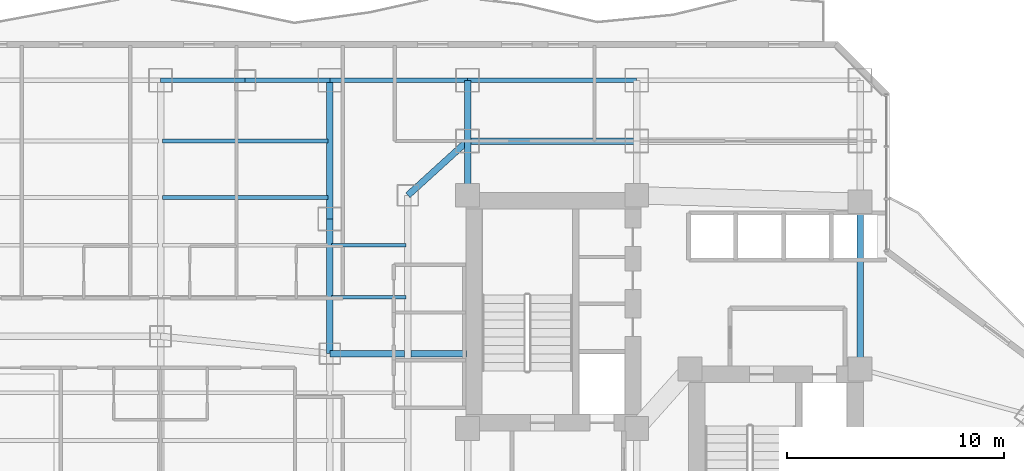
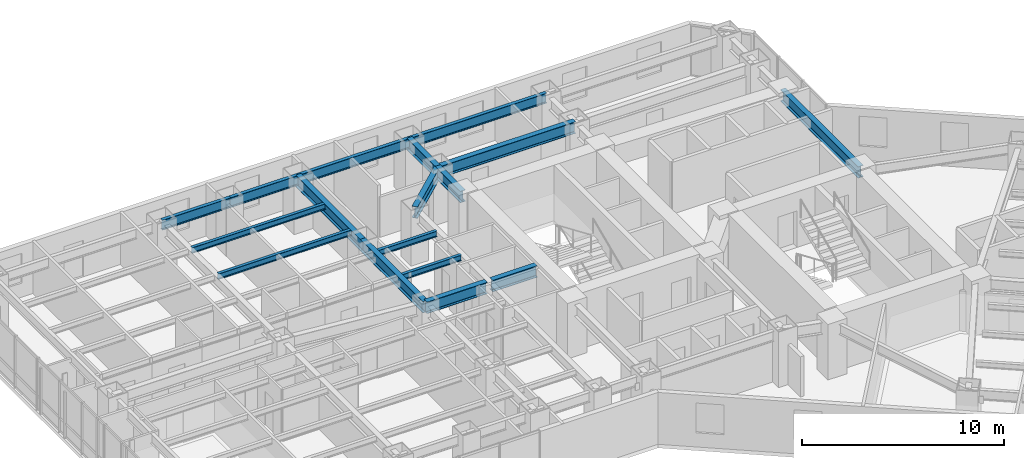
# One storey, part 17 of 38: 17 beams.
"""IFC4 building model written with IfcOpenShell, lengths in metres."""

from ifc_helpers import new_model, si_unit, direction, frame, origin, origin_2d, place, context, subcontext, project, spatial, i_section, extrude, material, material_profile, profile_set, type_object, element, save


model = new_model("IFC4")

# Units and contexts
model_context = context("Model", 3, precision=1e-05, world=origin(), true_north=direction((0.0, 1.0)))
body_context = subcontext(model_context, "Body", "Model", "MODEL_VIEW")
ifc_project = project(units=[si_unit("LENGTHUNIT", "METRE"), si_unit("AREAUNIT", "SQUARE_METRE"), si_unit("VOLUMEUNIT", "CUBIC_METRE"), si_unit("PLANEANGLEUNIT", "RADIAN"), si_unit("MASSUNIT", "GRAM", prefix="KILO")], contexts=[model_context])

# Site, building, storey
site_placement = place(None, origin())
site = spatial("IfcSite", under=ifc_project, at=site_placement, CompositionType="ELEMENT")
building_placement = place(site_placement, origin())
building = spatial("IfcBuilding", under=site, at=building_placement, Name="Hatsunagi Terrace Concourse", CompositionType="ELEMENT")
storey_placement = place(building_placement, frame((0.0, 0.0, 60.050048828125)))
storey = spatial("IfcBuildingStorey", under=building, at=storey_placement, Name="L15", CompositionType="ELEMENT", Elevation=60.050048828125)

# Beams
ifc_material_1 = material(Name="Steel SN490B", Category="steel")
ifc_material_profile_1 = material_profile(ifc_material_1, i_section(OverallWidth=0.300048828125, OverallDepth=0.699951171875, WebThickness=0.012939453125, FlangeThickness=0.02392578125, FilletRadius=0.02197265625, at=origin_2d()), Name="H-700x300x13x24")
ifc_profile_set_1 = profile_set([ifc_material_profile_1], Name="Steel SN490B")
beam_type_1 = type_object("IfcBeamType", Name="HotelFloorGirder_H_700x300", PredefinedType="BEAM", material=ifc_profile_set_1)
beam_1_placement = place(storey_placement, frame((43.64990234375, 35.300048828125, 2.780029296875), z_axis=(0.0, 1.0, 0.0), x_axis=(-1.0, 0.0, 0.0)))
element("IfcBeam", 1, at=beam_1_placement, inside=storey, type_object=beam_type_1, Name="Beam G-04 BM-L15-CBK3", PredefinedType="BEAM", context=body_context, shape_type="SweptSolid", body=[
    extrude(i_section(OverallWidth=0.300048828125, OverallDepth=0.699951171875, WebThickness=0.012939453125, FlangeThickness=0.02392578125, FilletRadius=0.02197265625, at=origin_2d()), origin(), (0.0, 0.0, 1.0), 7.699951171875),
])
beam_2_placement = place(storey_placement, frame((25.550048828125, 43.300048828125, 2.780029296875), z_axis=(0.0, 1.0, 0.0), x_axis=(-1.0, 0.0, 0.0)))
element("IfcBeam", 2, at=beam_2_placement, inside=storey, type_object=beam_type_1, Name="Beam G-04 BM-L15-CN1", PredefinedType="BEAM", context=body_context, shape_type="SweptSolid", body=[
    extrude(i_section(OverallWidth=0.300048828125, OverallDepth=0.699951171875, WebThickness=0.012939453125, FlangeThickness=0.02392578125, FilletRadius=0.02197265625, at=origin_2d()), origin(), (0.0, 0.0, 1.0), 2.5),
])
beam_3_placement = place(storey_placement, frame((25.550048828125, 45.800048828125, 2.780029296875), z_axis=(1.0, 0.0, 0.0), x_axis=(0.0, 1.0, 0.0)))
element("IfcBeam", 3, at=beam_3_placement, inside=storey, type_object=beam_type_1, Name="Beam G-04 BM-L15-CNEW1", PredefinedType="BEAM", context=body_context, shape_type="SweptSolid", body=[
    extrude(i_section(OverallWidth=0.300048828125, OverallDepth=0.699951171875, WebThickness=0.012939453125, FlangeThickness=0.02392578125, FilletRadius=0.02197265625, at=origin_2d()), origin(), (0.0, 0.0, 1.0), 7.800048828125),
])
beam_4_placement = place(storey_placement, frame((25.550048828125, 45.800048828125, 2.780029296875), z_axis=(0.0, 1.0, 0.0), x_axis=(-1.0, 0.0, 0.0)))
element("IfcBeam", 4, at=beam_4_placement, inside=storey, type_object=beam_type_1, Name="Beam G-04 BM-L15-KN-WN4", PredefinedType="BEAM", context=body_context, shape_type="SweptSolid", body=[
    extrude(i_section(OverallWidth=0.300048828125, OverallDepth=0.699951171875, WebThickness=0.012939453125, FlangeThickness=0.02392578125, FilletRadius=0.02197265625, at=origin_2d()), origin(), (0.0, 0.0, 1.0), 2.800048828125),
])
beam_5_placement = place(storey_placement, frame((22.800048828125, 43.300048828125, 2.780029296875), z_axis=(0.739940073396, 0.672672793996, 0.0), x_axis=(-0.672672793996, 0.739940073396, 0.0)))
element("IfcBeam", 5, at=beam_5_placement, inside=storey, type_object=beam_type_1, Name="Beam G-04 BM-L15-CWEW-N", PredefinedType="BEAM", context=body_context, shape_type="SweptSolid", body=[
    extrude(i_section(OverallWidth=0.300048828125, OverallDepth=0.699951171875, WebThickness=0.012939453125, FlangeThickness=0.02392578125, FilletRadius=0.02197265625, at=origin_2d()), origin(), (0.0, 0.0, 1.0), 3.716552734375),
])
beam_6_placement = place(storey_placement, frame((19.199951171875, 36.0, 2.780029296875), z_axis=(0.0, 1.0, 0.0), x_axis=(-1.0, 0.0, 0.0)))
element("IfcBeam", 6, at=beam_6_placement, inside=storey, type_object=beam_type_1, Name="Beam G-04 BM-L15-NS-19-36", PredefinedType="BEAM", context=body_context, shape_type="SweptSolid", body=[
    extrude(i_section(OverallWidth=0.300048828125, OverallDepth=0.699951171875, WebThickness=0.012939453125, FlangeThickness=0.02392578125, FilletRadius=0.02197265625, at=origin_2d()), origin(), (0.0, 0.0, 1.0), 6.199951171875),
])
beam_7_placement = place(storey_placement, frame((19.199951171875, 42.199951171875, 2.780029296875), z_axis=(0.0, 1.0, 0.0), x_axis=(-1.0, 0.0, 0.0)))
element("IfcBeam", 7, at=beam_7_placement, inside=storey, type_object=beam_type_1, Name="Beam G-04 BM-L15-NS-19-42", PredefinedType="BEAM", context=body_context, shape_type="SweptSolid", body=[
    extrude(i_section(OverallWidth=0.300048828125, OverallDepth=0.699951171875, WebThickness=0.012939453125, FlangeThickness=0.02392578125, FilletRadius=0.02197265625, at=origin_2d()), origin(), (0.0, 0.0, 1.0), 6.400146484375),
])
beam_8_placement = place(storey_placement, frame((19.199951171875, 36.0, 2.780029296875), z_axis=(1.0, 0.0, 0.0), x_axis=(0.0, 1.0, 0.0)))
element("IfcBeam", 8, at=beam_8_placement, inside=storey, type_object=beam_type_1, Name="Beam G-04 BM-L15-EW-3", PredefinedType="BEAM", context=body_context, shape_type="SweptSolid", body=[
    extrude(i_section(OverallWidth=0.300048828125, OverallDepth=0.699951171875, WebThickness=0.012939453125, FlangeThickness=0.02392578125, FilletRadius=0.02197265625, at=origin_2d()), origin(), (0.0, 0.0, 1.0), 3.449951171875),
])
beam_9_placement = place(storey_placement, frame((22.949951171875, 36.0, 2.780029296875), z_axis=(1.0, 0.0, 0.0), x_axis=(0.0, 1.0, 0.0)))
element("IfcBeam", 9, at=beam_9_placement, inside=storey, type_object=beam_type_1, Name="Beam G-04 BM-L15-EW-4", PredefinedType="BEAM", context=body_context, shape_type="SweptSolid", body=[
    extrude(i_section(OverallWidth=0.300048828125, OverallDepth=0.699951171875, WebThickness=0.012939453125, FlangeThickness=0.02392578125, FilletRadius=0.02197265625, at=origin_2d()), origin(), (0.0, 0.0, 1.0), 2.56005859375),
])
ifc_material_2 = material(Name="Steel SN490B", Category="steel")
ifc_material_profile_2 = material_profile(ifc_material_2, i_section(OverallWidth=0.175048828125, OverallDepth=0.35009765625, WebThickness=0.007080078125, FlangeThickness=0.010986328125, FilletRadius=0.012939453125, at=origin_2d()), Name="H-350x175x7x11")
ifc_profile_set_2 = profile_set([ifc_material_profile_2], Name="Steel SN490B")
beam_type_2 = type_object("IfcBeamType", Name="HotelJoist_H_350x175", PredefinedType="JOIST", material=ifc_profile_set_2)
for number, where, z_axis, x_axis, name in (
    (10, (19.284912109375, 38.60009765625, 2.954833984375), (1.0, 0.0, 0.0), (0.0, 1.0, 0.0), "Beam J-02 J-L15-W-19-386"),
    (11, (19.284912109375, 41.0, 2.954833984375), (1.0, 0.0, 0.0), (0.0, 1.0, 0.0), "Beam J-02 J-L15-W-19-410"),
):
    element("IfcBeam", number, at=place(storey_placement, frame(where, z_axis=z_axis, x_axis=x_axis)), inside=storey, type_object=beam_type_2, Name=name, PredefinedType="JOIST", context=body_context, shape_type="SweptSolid", body=[
        extrude(i_section(OverallWidth=0.175048828125, OverallDepth=0.35009765625, WebThickness=0.007080078125, FlangeThickness=0.010986328125, FilletRadius=0.012939453125, at=origin_2d()), origin(), (0.0, 0.0, 1.0), 3.43017578125),
    ])
for number, where, z_axis, x_axis, name in (
    (12, (11.485107421875, 43.199951171875, 2.954833984375), (1.0, 0.0, 0.0), (0.0, 1.0, 0.0), "Beam J-02 J-L15-W-11-432"),
    (13, (11.485107421875, 45.800048828125, 2.954833984375), (1.0, 0.0, 0.0), (0.0, 1.0, 0.0), "Beam J-02 J-L15-W-11-458"),
):
    element("IfcBeam", number, at=place(storey_placement, frame(where, z_axis=z_axis, x_axis=x_axis)), inside=storey, type_object=beam_type_2, Name=name, PredefinedType="JOIST", context=body_context, shape_type="SweptSolid", body=[
        extrude(i_section(OverallWidth=0.175048828125, OverallDepth=0.35009765625, WebThickness=0.007080078125, FlangeThickness=0.010986328125, FilletRadius=0.012939453125, at=origin_2d()), origin(), (0.0, 0.0, 1.0), 7.6298828125),
    ])
ifc_material_3 = material(Name="Steel SN490B", Category="steel")
ifc_material_profile_3 = material_profile(ifc_material_3, i_section(OverallWidth=0.199951171875, OverallDepth=0.60009765625, WebThickness=0.010986328125, FlangeThickness=0.01708984375, FilletRadius=0.01806640625, at=origin_2d()), Name="H-600x200x11x17")
ifc_profile_set_3 = profile_set([ifc_material_profile_3], Name="Steel SN490B")
beam_type_3 = type_object("IfcBeamType", Name="PerimeterSpandrel_H_600x200", PredefinedType="SPANDREL", material=ifc_profile_set_3)
beam_10_placement = place(storey_placement, frame((11.39990234375, 48.60009765625, 2.829833984375), z_axis=(1.0, 0.0, 0.0), x_axis=(0.0, 1.0, 0.0)))
element("IfcBeam", 14, at=beam_10_placement, inside=storey, type_object=beam_type_3, Name="Beam SP-01 BM-L15-WN-11", PredefinedType="SPANDREL", context=body_context, shape_type="SweptSolid", body=[
    extrude(i_section(OverallWidth=0.199951171875, OverallDepth=0.60009765625, WebThickness=0.010986328125, FlangeThickness=0.01708984375, FilletRadius=0.01806640625, at=origin_2d()), origin(), (0.0, 0.0, 1.0), 3.900146484375),
])
beam_11_placement = place(storey_placement, frame((15.300048828125, 48.60009765625, 2.829833984375), z_axis=(1.0, 0.0, 0.0), x_axis=(0.0, 1.0, 0.0)))
element("IfcBeam", 15, at=beam_11_placement, inside=storey, type_object=beam_type_3, Name="Beam SP-01 BM-L15-WN-15", PredefinedType="SPANDREL", context=body_context, shape_type="SweptSolid", body=[
    extrude(i_section(OverallWidth=0.199951171875, OverallDepth=0.60009765625, WebThickness=0.010986328125, FlangeThickness=0.01708984375, FilletRadius=0.01806640625, at=origin_2d()), origin(), (0.0, 0.0, 1.0), 3.89990234375),
])
beam_12_placement = place(storey_placement, frame((19.199951171875, 48.60009765625, 2.829833984375), z_axis=(1.0, 0.0, 0.0), x_axis=(0.0, 1.0, 0.0)))
element("IfcBeam", 16, at=beam_12_placement, inside=storey, type_object=beam_type_3, Name="Beam SP-01 BM-L15-WN-19", PredefinedType="SPANDREL", context=body_context, shape_type="SweptSolid", body=[
    extrude(i_section(OverallWidth=0.199951171875, OverallDepth=0.60009765625, WebThickness=0.010986328125, FlangeThickness=0.01708984375, FilletRadius=0.01806640625, at=origin_2d()), origin(), (0.0, 0.0, 1.0), 6.35009765625),
])
beam_13_placement = place(storey_placement, frame((25.550048828125, 48.60009765625, 2.829833984375), z_axis=(1.0, 0.0, 0.0), x_axis=(0.0, 1.0, 0.0)))
element("IfcBeam", 17, at=beam_13_placement, inside=storey, type_object=beam_type_3, Name="Beam SP-01 BM-L15-WN-25", PredefinedType="SPANDREL", context=body_context, shape_type="SweptSolid", body=[
    extrude(i_section(OverallWidth=0.199951171875, OverallDepth=0.60009765625, WebThickness=0.010986328125, FlangeThickness=0.01708984375, FilletRadius=0.01806640625, at=origin_2d()), origin(), (0.0, 0.0, 1.0), 7.800048828125),
])

save(model, "model.ifc")
